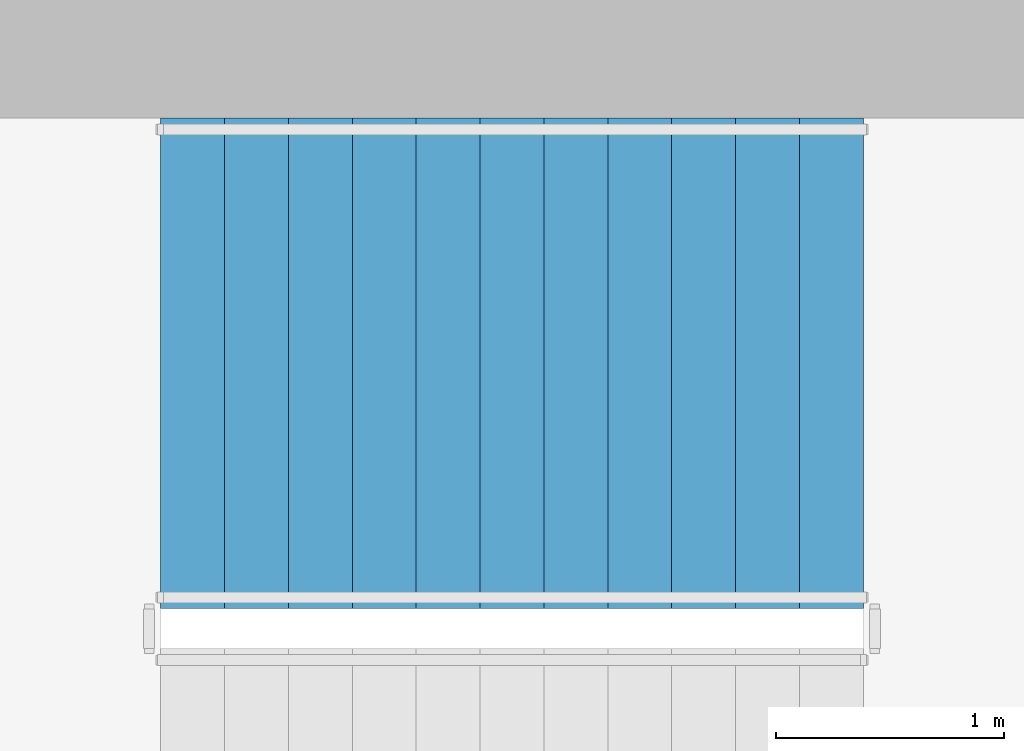
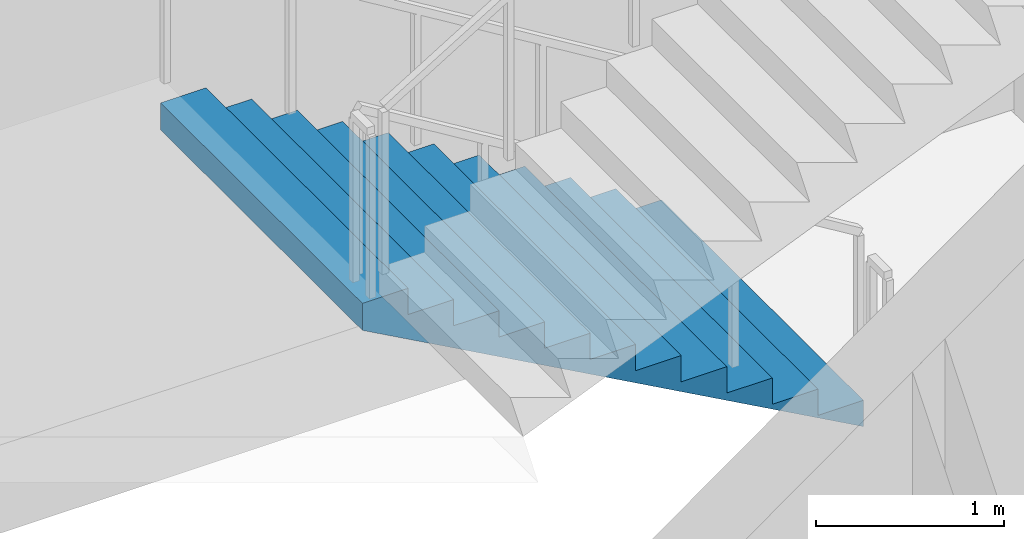
# One storey, part 9 of 14: 1 stair flight, 1 element without a shape of its own.
"""IFC4 building model written with IfcOpenShell, lengths in metres."""

from ifc_helpers import new_model, si_unit, direction, frame, origin, place, context, subcontext, project, spatial, triangles, material, type_object, element, aggregate, save


model = new_model("IFC4")

# Units and contexts
model_context = context("Model", 3, precision=1e-05, world=origin(), true_north=direction((0.0, 1.0)))
body_context = subcontext(model_context, "Body", "Model", "MODEL_VIEW")
ifc_project = project(units=[si_unit("LENGTHUNIT", "METRE"), si_unit("AREAUNIT", "SQUARE_METRE"), si_unit("VOLUMEUNIT", "CUBIC_METRE"), si_unit("PLANEANGLEUNIT", "RADIAN"), si_unit("MASSUNIT", "GRAM", prefix="KILO")], contexts=[model_context])

# Site, building, storey
site_placement = place(None, origin())
site = spatial("IfcSite", under=ifc_project, at=site_placement, CompositionType="ELEMENT")
building_placement = place(site_placement, origin())
building = spatial("IfcBuilding", under=site, at=building_placement, Name="Cypress Arch Tower", CompositionType="ELEMENT")
storey_placement = place(building_placement, frame((0.0, 0.0, 255.699951171875)))
storey = spatial("IfcBuildingStorey", under=building, at=storey_placement, Name="L57", CompositionType="ELEMENT", Elevation=255.699951171875)

# Stair, stair flight
ifc_material_1 = material(Name="Concrete C40/50", Category="concrete")
stair_type = type_object("IfcStairType", Name="Exit stair ES1708-215", PredefinedType="HALF_TURN_STAIR", material=ifc_material_1)
stair_placement = place(storey_placement, origin())
stair = element("IfcStair", 1, at=stair_placement, inside=storey, type_object=stair_type, Name="L57 Exit stair B", PredefinedType="HALF_TURN_STAIR")
ifc_material_2 = material(Name="Concrete C40/50", Category="concrete")
stair_flight_type = type_object("IfcStairFlightType", Name="Exit stair flight ES1708-215", PredefinedType="STRAIGHT", material=ifc_material_2)
stair_flight_placement = place(storey_placement, frame((-22.27490234375, 13.72509765625, 0.0), z_axis=(0.0, 0.0, 1.0), x_axis=(-1.0, 0.0, 0.0)))
stair_flight = element("IfcStairFlight", 2, at=stair_flight_placement, type_object=stair_flight_type, Name="B flight 1", NumberOfRisers=12, NumberOfTreads=11, PredefinedType="STRAIGHT", RiserHeight=0.170833333, TreadLength=0.28, context=body_context, shape_type="Tessellation", body=[
    triangles([(0.0, -1.074951171875, 0.0), (0.000244140625, -1.074951171875, 0.01904296875), (0.000244140625, -1.074951171875, 0.0380859375), (0.00048828125, -1.074951171875, 0.056884765625), (0.00048828125, -1.074951171875, 0.075927734375), (0.00048828125, -1.074951171875, 0.094970703125), (0.00048828125, -1.074951171875, 0.114013671875), (0.000244140625, -1.074951171875, 0.1328125), (0.000244140625, -1.074951171875, 0.15185546875), (0.0, -1.074951171875, 0.1708984375), (0.280029296875, -1.074951171875, 0.1708984375), (0.280029296875, -1.074951171875, 0.341552734375), (0.56005859375, -1.074951171875, 0.341552734375), (0.56005859375, -1.074951171875, 0.512451171875), (0.840087890625, -1.074951171875, 0.512451171875), (0.840087890625, -1.074951171875, 0.683349609375), (1.1201171875, -1.074951171875, 0.683349609375), (1.1201171875, -1.074951171875, 0.854248046875), (1.39990234375, -1.074951171875, 0.854248046875), (1.39990234375, -1.074951171875, 1.02490234375), (1.679931640625, -1.074951171875, 1.02490234375), (1.679931640625, -1.074951171875, 1.19580078125), (1.9599609375, -1.074951171875, 1.19580078125), (1.9599609375, -1.074951171875, 1.36669921875), (2.239990234375, -1.074951171875, 1.36669921875), (2.239990234375, -1.074951171875, 1.53759765625), (2.52001953125, -1.074951171875, 1.53759765625), (2.52001953125, -1.074951171875, 1.708251953125), (2.800048828125, -1.074951171875, 1.708251953125), (2.800048828125, -1.074951171875, 1.879150390625), (3.080078125, -1.074951171875, 1.879150390625), (3.079833984375, -1.074951171875, 1.859619140625), (3.079833984375, -1.074951171875, 1.840087890625), (3.07958984375, -1.074951171875, 1.820556640625), (3.07958984375, -1.074951171875, 1.801025390625), (3.07958984375, -1.074951171875, 1.78173828125), (3.07958984375, -1.074951171875, 1.76220703125), (3.079833984375, -1.074951171875, 1.74267578125), (3.079833984375, -1.074951171875, 1.72314453125), (3.080078125, -1.074951171875, 1.70361328125), (3.080078125, 1.074951171875, 1.70361328125), (3.079833984375, 1.074951171875, 1.72314453125), (3.079833984375, 1.074951171875, 1.74267578125), (3.07958984375, 1.074951171875, 1.76220703125), (3.07958984375, 1.074951171875, 1.78173828125), (3.07958984375, 1.074951171875, 1.801025390625), (3.07958984375, 1.074951171875, 1.820556640625), (3.079833984375, 1.074951171875, 1.840087890625), (3.079833984375, 1.074951171875, 1.859619140625), (3.080078125, 1.074951171875, 1.879150390625), (2.800048828125, 1.074951171875, 1.879150390625), (2.800048828125, 1.074951171875, 1.708251953125), (2.52001953125, 1.074951171875, 1.708251953125), (2.52001953125, 1.074951171875, 1.53759765625), (2.239990234375, 1.074951171875, 1.53759765625), (2.239990234375, 1.074951171875, 1.36669921875), (1.9599609375, 1.074951171875, 1.36669921875), (1.9599609375, 1.074951171875, 1.19580078125), (1.679931640625, 1.074951171875, 1.19580078125), (1.679931640625, 1.074951171875, 1.02490234375), (1.39990234375, 1.074951171875, 1.02490234375), (1.39990234375, 1.074951171875, 0.854248046875), (1.1201171875, 1.074951171875, 0.854248046875), (1.1201171875, 1.074951171875, 0.683349609375), (0.840087890625, 1.074951171875, 0.683349609375), (0.840087890625, 1.074951171875, 0.512451171875), (0.56005859375, 1.074951171875, 0.512451171875), (0.56005859375, 1.074951171875, 0.341552734375), (0.280029296875, 1.074951171875, 0.341552734375), (0.280029296875, 1.074951171875, 0.1708984375), (0.0, 1.074951171875, 0.1708984375), (0.000244140625, 1.074951171875, 0.15185546875), (0.000244140625, 1.074951171875, 0.1328125), (0.00048828125, 1.074951171875, 0.114013671875), (0.00048828125, 1.074951171875, 0.094970703125), (0.00048828125, 1.074951171875, 0.075927734375), (0.00048828125, 1.074951171875, 0.056884765625), (0.000244140625, 1.074951171875, 0.0380859375), (0.000244140625, 1.074951171875, 0.01904296875), (0.0, 1.074951171875, 0.0)], [[40, 39, 30], [39, 38, 30], [38, 37, 30], [37, 36, 30], [36, 35, 30], [35, 34, 30], [34, 33, 30], [33, 32, 30], [32, 31, 30], [19, 18, 17], [27, 26, 25], [25, 24, 23], [23, 22, 21], [17, 16, 15], [15, 14, 13], [10, 9, 11], [9, 8, 11], [8, 7, 11], [7, 6, 11], [6, 5, 11], [5, 4, 11], [4, 3, 11], [3, 2, 11], [2, 1, 11], [29, 28, 27], [21, 20, 19], [13, 12, 11], [40, 30, 29], [40, 29, 27], [40, 27, 25], [40, 25, 23], [40, 23, 21], [40, 21, 19], [40, 19, 17], [40, 17, 15], [40, 15, 13], [1, 40, 13], [13, 11, 1], [41, 51, 42], [42, 51, 43], [43, 51, 44], [44, 51, 45], [45, 51, 46], [46, 51, 47], [47, 51, 48], [48, 51, 49], [49, 51, 50], [62, 64, 63], [54, 56, 55], [56, 58, 57], [58, 60, 59], [64, 66, 65], [66, 68, 67], [71, 70, 72], [72, 70, 73], [73, 70, 74], [74, 70, 75], [75, 70, 76], [76, 70, 77], [77, 70, 78], [78, 70, 79], [79, 70, 80], [52, 54, 53], [60, 62, 61], [68, 70, 69], [41, 52, 51], [41, 54, 52], [41, 56, 54], [41, 58, 56], [41, 60, 58], [41, 62, 60], [41, 64, 62], [41, 66, 64], [41, 68, 66], [80, 68, 41], [68, 80, 70], [41, 42, 39], [41, 39, 40], [42, 43, 38], [42, 38, 39], [43, 44, 37], [43, 37, 38], [44, 45, 36], [44, 36, 37], [45, 46, 35], [45, 35, 36], [46, 47, 34], [46, 34, 35], [47, 48, 33], [47, 33, 34], [48, 49, 32], [48, 32, 33], [49, 50, 31], [49, 31, 32], [50, 51, 30], [50, 30, 31], [51, 52, 29], [51, 29, 30], [52, 53, 28], [52, 28, 29], [53, 54, 27], [53, 27, 28], [54, 55, 26], [54, 26, 27], [55, 56, 25], [55, 25, 26], [56, 57, 24], [56, 24, 25], [57, 58, 23], [57, 23, 24], [58, 59, 22], [58, 22, 23], [59, 60, 21], [59, 21, 22], [60, 61, 20], [60, 20, 21], [61, 62, 19], [61, 19, 20], [62, 63, 18], [62, 18, 19], [63, 64, 17], [63, 17, 18], [64, 65, 16], [64, 16, 17], [65, 66, 15], [65, 15, 16], [66, 67, 14], [66, 14, 15], [67, 68, 13], [67, 13, 14], [68, 69, 12], [68, 12, 13], [69, 70, 11], [69, 11, 12], [70, 71, 10], [70, 10, 11], [71, 72, 9], [71, 9, 10], [72, 73, 8], [72, 8, 9], [73, 74, 7], [73, 7, 8], [74, 75, 6], [74, 6, 7], [75, 76, 5], [75, 5, 6], [76, 77, 4], [76, 4, 5], [77, 78, 3], [77, 3, 4], [78, 79, 2], [78, 2, 3], [79, 80, 1], [79, 1, 2], [80, 41, 40], [80, 40, 1]], closed=True),
])
aggregate(stair, [stair_flight])

save(model, "model.ifc")
